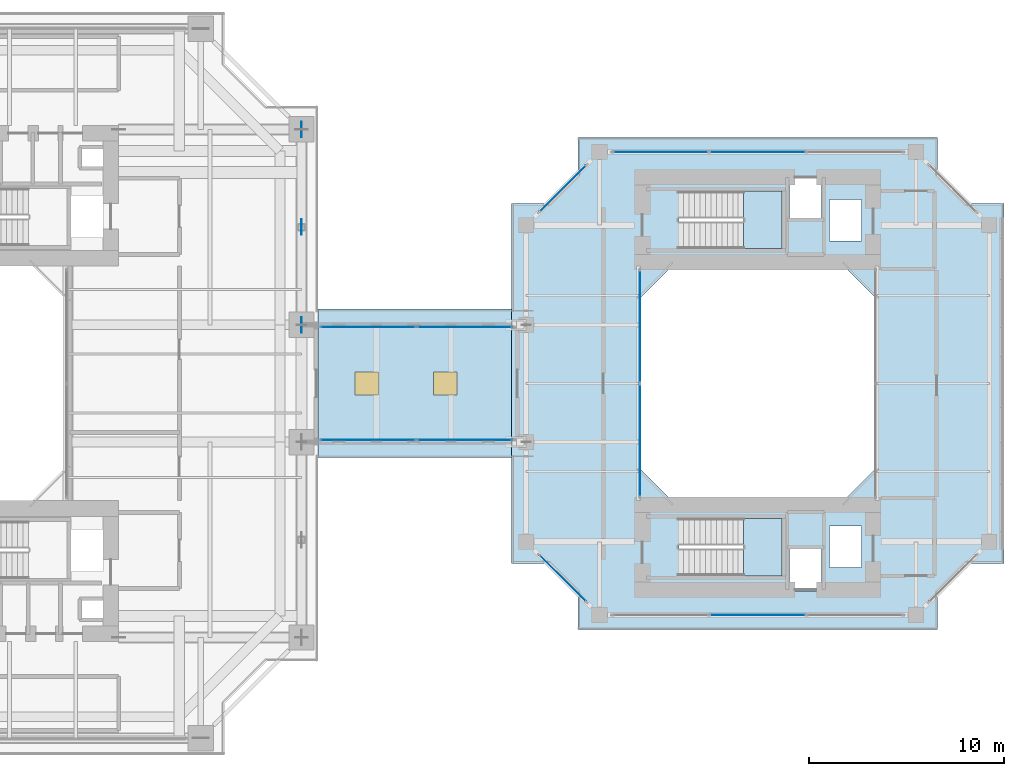
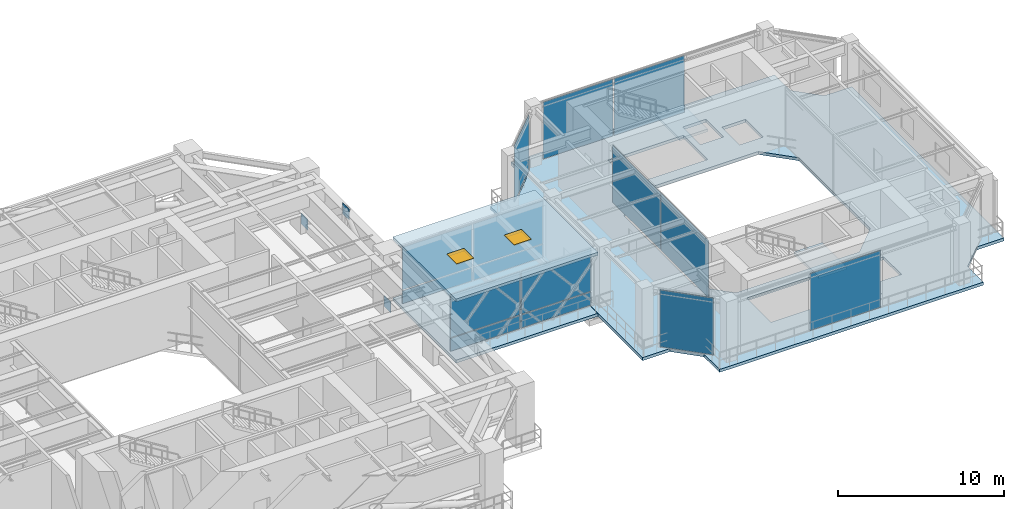
# One storey, part 12 of 25: 18 plates, 5 slabs, 2 windows, 2 openings, 9 elements without a shape of their own.
"""IFC4 building model written with IfcOpenShell, lengths in metres."""

from ifc_helpers import new_model, si_unit, direction, frame, origin, origin_2d, place, context, subcontext, project, spatial, polyline, rectangle, outline, extrude, source, transform, mapped, material, layer, layer_set, type_object, element, fill, aggregate, save


model = new_model("IFC4")

# Units and contexts
model_context = context("Model", 3, precision=1e-05, world=origin(), true_north=direction((0.0, 1.0)))
body_context = subcontext(model_context, "Body", "Model", "MODEL_VIEW")
ifc_project = project(units=[si_unit("LENGTHUNIT", "METRE"), si_unit("AREAUNIT", "SQUARE_METRE"), si_unit("VOLUMEUNIT", "CUBIC_METRE"), si_unit("PLANEANGLEUNIT", "RADIAN"), si_unit("MASSUNIT", "GRAM", prefix="KILO"), si_unit("THERMODYNAMICTEMPERATUREUNIT", "KELVIN"), si_unit("POWERUNIT", "WATT")], contexts=[model_context])

# Site, building, storey
site_placement = place(None, origin())
site = spatial("IfcSite", under=ifc_project, at=site_placement, CompositionType="ELEMENT")
building_placement = place(site_placement, origin())
building = spatial("IfcBuilding", under=site, at=building_placement, Name="Qiaomeng Ring Towers", CompositionType="ELEMENT")
storey_placement = place(building_placement, frame((0.0, 0.0, 92.5)))
storey = spatial("IfcBuildingStorey", under=building, at=storey_placement, Name="L26", CompositionType="ELEMENT", Elevation=92.5)

# Slabs
ifc_material_1 = material(Name="Concrete C40", Category="concrete")
ifc_layer_1 = layer(ifc_material_1, 0.219970703125, Name="Concrete C40")
ifc_layer_set_1 = layer_set([ifc_layer_1], Name="Concrete C40")
slab_type_1 = type_object("IfcSlabType", Name="STR-SL-220", PredefinedType="FLOOR", material=ifc_layer_set_1)
slab_1_placement = place(storey_placement, frame((0.0, 0.0, -0.219970703125)))
element("IfcSlab", 1, at=slab_1_placement, inside=storey, type_object=slab_type_1, Name="L26 Companion Tower 2 Annular Floor Slab", PredefinedType="FLOOR", context=body_context, shape_type="SweptSolid", body=[
    extrude(outline(polyline([(51.300048828125, 10.39990234375), (69.699951171875, 10.39990234375), (69.699951171875, 12.300048828125), (71.199951171875, 13.800048828125), (73.10009765625, 13.800048828125), (73.10009765625, 32.199951171875), (71.199951171875, 32.199951171875), (69.699951171875, 33.699951171875), (69.699951171875, 35.60009765625), (51.300048828125, 35.60009765625), (51.300048828125, 33.699951171875), (49.800048828125, 32.199951171875), (47.89990234375, 32.199951171875), (47.89990234375, 13.800048828125), (49.800048828125, 13.800048828125), (51.300048828125, 12.300048828125), (51.300048828125, 10.39990234375)]), holes=[polyline([(62.1298828125, 12.3798828125), (62.1298828125, 14.52001953125), (63.77001953125, 14.52001953125), (63.77001953125, 12.3798828125), (62.1298828125, 12.3798828125)]), polyline([(56.47998046875, 13.159912109375), (56.47998046875, 16.10009765625), (61.75, 16.10009765625), (61.75, 13.159912109375), (56.47998046875, 13.159912109375)]), polyline([(64.179931640625, 13.580078125), (64.179931640625, 15.719970703125), (65.820068359375, 15.719970703125), (65.820068359375, 13.580078125), (64.179931640625, 13.580078125)]), polyline([(64.800048828125, 29.10009765625), (66.60009765625, 27.300048828125), (66.60009765625, 18.699951171875), (64.800048828125, 16.89990234375), (56.199951171875, 16.89990234375), (54.39990234375, 18.699951171875), (54.39990234375, 27.300048828125), (56.199951171875, 29.10009765625), (64.800048828125, 29.10009765625)]), polyline([(64.179931640625, 30.280029296875), (64.179931640625, 32.419921875), (65.820068359375, 32.419921875), (65.820068359375, 30.280029296875), (64.179931640625, 30.280029296875)]), polyline([(56.47998046875, 32.840087890625), (61.75, 32.840087890625), (61.75, 29.89990234375), (56.47998046875, 29.89990234375), (56.47998046875, 32.840087890625)]), polyline([(62.1298828125, 33.6201171875), (63.77001953125, 33.6201171875), (63.77001953125, 31.47998046875), (62.1298828125, 31.47998046875), (62.1298828125, 33.6201171875)])]), origin(), (0.0, 0.0, 1.0), 0.219970703125),
])
slab_2_placement = place(storey_placement, frame((0.0, 0.0, -0.219970703125)))
element("IfcSlab", 2, at=slab_2_placement, inside=storey, type_object=slab_type_1, Name="L26 Escape Skybridge Bridge SB2 Floor Slab", PredefinedType="FLOOR", context=body_context, shape_type="SweptSolid", body=[
    extrude(outline(polyline([(38.0, 19.199951171875), (47.889892578125, 19.199951171875), (47.889892578125, 26.800048828125), (38.0, 26.800048828125), (38.0, 19.199951171875)])), origin(), (0.0, 0.0, 1.0), 0.219970703125),
])

# Slab, openings, windows
slab_3_placement = place(storey_placement, frame((0.0, 0.0, 4.280029296875)))
slab_3 = element("IfcSlab", 3, at=slab_3_placement, inside=storey, type_object=slab_type_1, Name="L26 Escape Skybridge Bridge SB2 Canopy Slab", PredefinedType="FLOOR", context=body_context, shape_type="SweptSolid", body=[
    extrude(outline(polyline([(38.0, 19.199951171875), (47.889892578125, 19.199951171875), (47.889892578125, 26.800048828125), (38.0, 26.800048828125), (38.0, 19.199951171875)])), origin(), (0.0, 0.0, 1.0), 0.219970703125),
])
opening_1_placement = place(slab_3_placement, frame((40.5, 23.0, 0.0)))
opening_1 = element("IfcOpeningElement", 4, at=opening_1_placement, cuts=slab_3, Name="Opening SKY2", PredefinedType="OPENING", context=body_context, shape_type="SweptSolid", body=[
    extrude(rectangle(XDim=1.199951171875, YDim=1.199951171875, at=origin_2d()), frame((0.0, 0.0, -0.010009765625)), (0.0, 0.0, 1.0), 0.239990234375),
])
opening_2_placement = place(slab_3_placement, frame((44.5, 23.0, 0.0)))
opening_2 = element("IfcOpeningElement", 5, at=opening_2_placement, cuts=slab_3, Name="Opening SKY2", PredefinedType="OPENING", context=body_context, shape_type="SweptSolid", body=[
    extrude(rectangle(XDim=1.199951171875, YDim=1.199951171875, at=origin_2d()), frame((0.0, 0.0, -0.010009765625)), (0.0, 0.0, 1.0), 0.239990234375),
])
ifc_material_2 = material(Name="Low-E dark-grey laminated double glazing", Category="glass")
window_type = type_object("IfcWindowType", Name="ARC-SKY-2", PartitioningType="SINGLE_PANEL", PredefinedType="SKYLIGHT", material=ifc_material_2)
window_1_placement = place(opening_1_placement, frame((0.0, 0.0, 0.169921875)))
window_1 = element("IfcWindow", 6, at=window_1_placement, inside=storey, type_object=window_type, Name="Skybridge SB2 Daylight Skylight 1", OverallHeight=1.199951171875, OverallWidth=1.199951171875, PartitioningType="SINGLE_PANEL", PredefinedType="SKYLIGHT", context=body_context, shape_type="SweptSolid", body=[
    extrude(rectangle(XDim=1.199951171875, YDim=1.199951171875, at=origin_2d()), origin(), (0.0, 0.0, 1.0), 0.050048828125),
])
fill(opening_1, window_1)
window_2_placement = place(opening_2_placement, frame((0.0, 0.0, 0.169921875)))
window_2 = element("IfcWindow", 7, at=window_2_placement, inside=storey, type_object=window_type, Name="Skybridge SB2 Daylight Skylight 2", OverallHeight=1.199951171875, OverallWidth=1.199951171875, PartitioningType="SINGLE_PANEL", PredefinedType="SKYLIGHT", context=body_context, shape_type="SweptSolid", body=[
    extrude(rectangle(XDim=1.199951171875, YDim=1.199951171875, at=origin_2d()), origin(), (0.0, 0.0, 1.0), 0.050048828125),
])
fill(opening_2, window_2)

# Stair, slab
ifc_material_3 = material(Name="Precast concrete C40", Category="concrete")
stair_type = type_object("IfcStairType", Name="ARC-ST-450", PredefinedType="HALF_TURN_STAIR", material=ifc_material_3)
stair_1_placement = place(storey_placement, origin())
stair_1 = element("IfcStair", 8, at=stair_1_placement, inside=storey, type_object=stair_type, Name="L26 Companion North Stair 5", PredefinedType="HALF_TURN_STAIR")
ifc_layer_2 = layer(ifc_material_1, 0.199951171875, Name="Concrete C40")
ifc_layer_set_2 = layer_set([ifc_layer_2], Name="Concrete C40")
slab_type_2 = type_object("IfcSlabType", Name="STR-SL-LANDING", PredefinedType="LANDING", material=ifc_layer_set_2)
slab_4_placement = place(storey_placement, frame((0.0, 0.0, 2.050048828125)))
slab_4 = element("IfcSlab", 9, at=slab_4_placement, type_object=slab_type_2, Name="ST5 landing 1", PredefinedType="LANDING", context=body_context, shape_type="SweptSolid", body=[
    extrude(outline(polyline([(59.780029296875, 29.89990234375), (61.75, 29.89990234375), (61.75, 32.840087890625), (59.780029296875, 32.840087890625), (59.780029296875, 29.89990234375)])), origin(), (0.0, 0.0, 1.0), 0.199951171875),
])
aggregate(stair_1, [slab_4])

stair_2_placement = place(storey_placement, origin())
stair_2 = element("IfcStair", 10, at=stair_2_placement, inside=storey, type_object=stair_type, Name="L26 Companion South Stair 6", PredefinedType="HALF_TURN_STAIR")
slab_5_placement = place(storey_placement, frame((0.0, 0.0, 2.050048828125)))
slab_5 = element("IfcSlab", 11, at=slab_5_placement, type_object=slab_type_2, Name="ST6 landing 1", PredefinedType="LANDING", context=body_context, shape_type="SweptSolid", body=[
    extrude(outline(polyline([(59.780029296875, 13.159912109375), (61.75, 13.159912109375), (61.75, 16.10009765625), (59.780029296875, 16.10009765625), (59.780029296875, 13.159912109375)])), origin(), (0.0, 0.0, 1.0), 0.199951171875),
])
aggregate(stair_2, [slab_5])

# Plates
ifc_material_4 = material(Name="Steel Q390GJC", Category="steel")
ifc_layer_3 = layer(ifc_material_4, 0.031982421875, Name="Steel Q390GJC")
ifc_layer_set_3 = layer_set([ifc_layer_3], Name="Steel Q390GJC")
plate_type_1 = type_object("IfcPlateType", Name="STR-PL-GUSSET", PredefinedType="USERDEFINED", material=ifc_layer_set_3)
shared_shape_1 = source(origin(), body_context, "Body", "SweptSolid", [
    extrude(rectangle(XDim=0.800048828125, YDim=0.031982421875, at=origin_2d()), origin(), (0.0, 0.0, 1.0), 0.800048828125),
])
for number, where, z_axis, x_axis, name in (
    (12, (37.14990234375, 31.0, 3.72021484375), (0.0, 0.0, 1.0), (0.0, 1.0, 0.0), "L26 Belt Truss Node Gusset Plate 4-APX"),
    (13, (37.14990234375, 26.0, -0.080078125), (0.0, 0.0, 1.0), (0.0, 1.0, 0.0), "L26 Belt Truss Node Gusset Plate 4-N1"),
    (14, (37.14990234375, 36.0, -0.080078125), (0.0, 0.0, 1.0), (0.0, 1.0, 0.0), "L26 Belt Truss Node Gusset Plate 4-N2"),
):
    element("IfcPlate", number, at=place(storey_placement, frame(where, z_axis=z_axis, x_axis=x_axis)), inside=storey, type_object=plate_type_1, Name=name, ObjectType="GUSSET PLATE", PredefinedType="USERDEFINED", context=body_context, shape_type="MappedRepresentation", body=[
        mapped(shared_shape_1, transform((0.0, 0.0, 0.0), x_axis=(1.0, 0.0, 0.0), y_axis=(0.0, 1.0, 0.0), z_axis=(0.0, 0.0, 1.0), scale=1.0)),
    ])

# Curtain wall, plates
ifc_material_5 = material(Name="Fluorocarbon dark-grey aluminium", Category="aluminium")
ifc_layer_4 = layer(ifc_material_5, 0.139892578125, Name="Fluorocarbon dark-grey aluminium")
ifc_layer_set_4 = layer_set([ifc_layer_4], Name="Fluorocarbon dark-grey aluminium")
curtain_wall_type_1 = type_object("IfcCurtainWallType", Name="ARC-CW-4", PredefinedType="NOTDEFINED", material=ifc_layer_set_4)
curtain_wall_1_placement = place(storey_placement, origin())
curtain_wall_1 = element("IfcCurtainWall", 15, at=curtain_wall_1_placement, inside=storey, type_object=curtain_wall_type_1, Name="L26 Curtain Wall CW4", PredefinedType="NOTDEFINED")
ifc_layer_5 = layer(ifc_material_2, 0.028076171875, Name="Low-E dark-grey laminated double glazing")
ifc_layer_set_5 = layer_set([ifc_layer_5], Name="Low-E dark-grey laminated double glazing")
plate_type_2 = type_object("IfcPlateType", Name="ARC-CWP-DARK", PredefinedType="CURTAIN_PANEL", material=ifc_layer_set_5)
shared_shape_2 = source(origin(), body_context, "Body", "SweptSolid", [
    extrude(rectangle(XDim=5.75244140625, YDim=0.028076171875, at=origin_2d()), origin(), (0.0, 0.0, 1.0), 4.18994140625),
])
plate_1_placement = place(storey_placement, frame((54.47998046875, 20.09130859375, 0.06494140625), z_axis=(0.0, 0.0, 1.0), x_axis=(0.0, 1.0, 0.0)))
plate_1 = element("IfcPlate", 16, at=plate_1_placement, type_object=plate_type_2, Name="CW4 panel 1.1", PredefinedType="CURTAIN_PANEL", context=body_context, shape_type="MappedRepresentation", body=[
    mapped(shared_shape_2, transform((0.0, 0.0, 0.0), x_axis=(1.0, 0.0, 0.0), y_axis=(0.0, 1.0, 0.0), z_axis=(0.0, 0.0, 1.0), scale=1.0)),
])
plate_2_placement = place(storey_placement, frame((54.47998046875, 25.90869140625, 0.06494140625), z_axis=(0.0, 0.0, 1.0), x_axis=(0.0, 1.0, 0.0)))
plate_2 = element("IfcPlate", 17, at=plate_2_placement, type_object=plate_type_2, Name="CW4 panel 2.1", PredefinedType="CURTAIN_PANEL", context=body_context, shape_type="MappedRepresentation", body=[
    mapped(shared_shape_2, transform((0.0, 0.0, 0.0), x_axis=(1.0, 0.0, 0.0), y_axis=(0.0, 1.0, 0.0), z_axis=(0.0, 0.0, 1.0), scale=1.0)),
])
aggregate(curtain_wall_1, [plate_1, plate_2])

ifc_layer_6 = layer(ifc_material_5, 0.169921875, Name="Fluorocarbon dark-grey aluminium")
ifc_layer_set_6 = layer_set([ifc_layer_6], Name="Fluorocarbon dark-grey aluminium")
curtain_wall_type_2 = type_object("IfcCurtainWallType", Name="ARC-CW-6", PredefinedType="NOTDEFINED", material=ifc_layer_set_6)
curtain_wall_2_placement = place(storey_placement, origin())
curtain_wall_2 = element("IfcCurtainWall", 18, at=curtain_wall_2_placement, inside=storey, type_object=curtain_wall_type_2, Name="L26 Curtain Wall CW6", PredefinedType="NOTDEFINED")
ifc_material_6 = material(Name="Low-E pale-green laminated safety glass", Category="glass")
ifc_layer_7 = layer(ifc_material_6, 0.031982421875, Name="Low-E pale-green laminated safety glass")
ifc_layer_set_7 = layer_set([ifc_layer_7], Name="Low-E pale-green laminated safety glass")
plate_type_3 = type_object("IfcPlateType", Name="ARC-CWP-GREEN", PredefinedType="CURTAIN_PANEL", material=ifc_layer_set_7)
shared_shape_3 = source(origin(), body_context, "Body", "SweptSolid", [
    extrude(rectangle(XDim=4.860107421875, YDim=0.031982421875, at=origin_2d()), origin(), (0.0, 0.0, 1.0), 0.945068359375),
])
plate_3_placement = place(storey_placement, frame((40.56005859375, 20.10009765625, 0.06982421875), z_axis=(0.0, 0.0, 1.0), x_axis=(1.0, 0.0, 0.0)))
plate_3 = element("IfcPlate", 19, at=plate_3_placement, type_object=plate_type_3, Name="CW6 panel 1.1", PredefinedType="CURTAIN_PANEL", context=body_context, shape_type="MappedRepresentation", body=[
    mapped(shared_shape_3, transform((0.0, 0.0, 0.0), x_axis=(1.0, 0.0, 0.0), y_axis=(0.0, 1.0, 0.0), z_axis=(0.0, 0.0, 1.0), scale=1.0)),
])
plate_4_placement = place(storey_placement, frame((45.5, 20.10009765625, 0.06982421875), z_axis=(0.0, 0.0, 1.0), x_axis=(1.0, 0.0, 0.0)))
plate_4 = element("IfcPlate", 20, at=plate_4_placement, type_object=plate_type_3, Name="CW6 panel 2.1", PredefinedType="CURTAIN_PANEL", context=body_context, shape_type="MappedRepresentation", body=[
    mapped(shared_shape_3, transform((0.0, 0.0, 0.0), x_axis=(1.0, 0.0, 0.0), y_axis=(0.0, 1.0, 0.0), z_axis=(0.0, 0.0, 1.0), scale=1.0)),
])

curtain_wall_3_placement = place(storey_placement, origin())
curtain_wall_3 = element("IfcCurtainWall", 21, at=curtain_wall_3_placement, inside=storey, type_object=curtain_wall_type_2, Name="L26 Curtain Wall CW6", PredefinedType="NOTDEFINED")
plate_5_placement = place(storey_placement, frame((40.56005859375, 25.89990234375, 0.06982421875), z_axis=(0.0, 0.0, 1.0), x_axis=(1.0, 0.0, 0.0)))
plate_5 = element("IfcPlate", 22, at=plate_5_placement, type_object=plate_type_3, Name="CW6 panel 1.1", PredefinedType="CURTAIN_PANEL", context=body_context, shape_type="MappedRepresentation", body=[
    mapped(shared_shape_3, transform((0.0, 0.0, 0.0), x_axis=(1.0, 0.0, 0.0), y_axis=(0.0, 1.0, 0.0), z_axis=(0.0, 0.0, 1.0), scale=1.0)),
])
plate_6_placement = place(storey_placement, frame((45.5, 25.89990234375, 0.06982421875), z_axis=(0.0, 0.0, 1.0), x_axis=(1.0, 0.0, 0.0)))
plate_6 = element("IfcPlate", 23, at=plate_6_placement, type_object=plate_type_3, Name="CW6 panel 2.1", PredefinedType="CURTAIN_PANEL", context=body_context, shape_type="MappedRepresentation", body=[
    mapped(shared_shape_3, transform((0.0, 0.0, 0.0), x_axis=(1.0, 0.0, 0.0), y_axis=(0.0, 1.0, 0.0), z_axis=(0.0, 0.0, 1.0), scale=1.0)),
])

# Plate
shared_shape_4 = source(origin(), body_context, "Body", "SweptSolid", [
    extrude(rectangle(XDim=4.860107421875, YDim=0.031982421875, at=origin_2d()), origin(), (0.0, 0.0, 1.0), 3.125),
])
plate_7_placement = place(storey_placement, frame((40.56005859375, 20.10009765625, 1.0849609375), z_axis=(0.0, 0.0, 1.0), x_axis=(1.0, 0.0, 0.0)))
plate_7 = element("IfcPlate", 24, at=plate_7_placement, type_object=plate_type_3, Name="CW6 panel 1.2", PredefinedType="CURTAIN_PANEL", context=body_context, shape_type="MappedRepresentation", body=[
    mapped(shared_shape_4, transform((0.0, 0.0, 0.0), x_axis=(1.0, 0.0, 0.0), y_axis=(0.0, 1.0, 0.0), z_axis=(0.0, 0.0, 1.0), scale=1.0)),
])

plate_8_placement = place(storey_placement, frame((45.5, 20.10009765625, 1.0849609375), z_axis=(0.0, 0.0, 1.0), x_axis=(1.0, 0.0, 0.0)))
plate_8 = element("IfcPlate", 25, at=plate_8_placement, type_object=plate_type_3, Name="CW6 panel 2.2", PredefinedType="CURTAIN_PANEL", context=body_context, shape_type="MappedRepresentation", body=[
    mapped(shared_shape_4, transform((0.0, 0.0, 0.0), x_axis=(1.0, 0.0, 0.0), y_axis=(0.0, 1.0, 0.0), z_axis=(0.0, 0.0, 1.0), scale=1.0)),
])

aggregate(curtain_wall_2, [plate_3, plate_7, plate_4, plate_8])

plate_9_placement = place(storey_placement, frame((40.56005859375, 25.89990234375, 1.0849609375), z_axis=(0.0, 0.0, 1.0), x_axis=(1.0, 0.0, 0.0)))
plate_9 = element("IfcPlate", 26, at=plate_9_placement, type_object=plate_type_3, Name="CW6 panel 1.2", PredefinedType="CURTAIN_PANEL", context=body_context, shape_type="MappedRepresentation", body=[
    mapped(shared_shape_4, transform((0.0, 0.0, 0.0), x_axis=(1.0, 0.0, 0.0), y_axis=(0.0, 1.0, 0.0), z_axis=(0.0, 0.0, 1.0), scale=1.0)),
])

plate_10_placement = place(storey_placement, frame((45.5, 25.89990234375, 1.0849609375), z_axis=(0.0, 0.0, 1.0), x_axis=(1.0, 0.0, 0.0)))
plate_10 = element("IfcPlate", 27, at=plate_10_placement, type_object=plate_type_3, Name="CW6 panel 2.2", PredefinedType="CURTAIN_PANEL", context=body_context, shape_type="MappedRepresentation", body=[
    mapped(shared_shape_4, transform((0.0, 0.0, 0.0), x_axis=(1.0, 0.0, 0.0), y_axis=(0.0, 1.0, 0.0), z_axis=(0.0, 0.0, 1.0), scale=1.0)),
])

aggregate(curtain_wall_3, [plate_5, plate_9, plate_6, plate_10])

# Curtain wall, plates
ifc_layer_8 = layer(ifc_material_5, 0.14990234375, Name="Fluorocarbon dark-grey aluminium")
ifc_layer_set_8 = layer_set([ifc_layer_8], Name="Fluorocarbon dark-grey aluminium")
curtain_wall_type_3 = type_object("IfcCurtainWallType", Name="ARC-CW-5", PredefinedType="NOTDEFINED", material=ifc_layer_set_8)
curtain_wall_4_placement = place(storey_placement, origin())
curtain_wall_4 = element("IfcCurtainWall", 28, at=curtain_wall_4_placement, inside=storey, type_object=curtain_wall_type_3, Name="L26 Curtain Wall CW5", PredefinedType="NOTDEFINED")
shared_shape_5 = source(origin(), body_context, "Body", "SweptSolid", [
    extrude(rectangle(XDim=4.868408203125, YDim=0.028076171875, at=origin_2d()), origin(), (0.0, 0.0, 1.0), 4.18994140625),
])
plate_11_placement = place(storey_placement, frame((55.544189453125, 34.85009765625, 0.06494140625), z_axis=(0.0, 0.0, 1.0), x_axis=(1.0, 0.0, 0.0)))
plate_11 = element("IfcPlate", 29, at=plate_11_placement, type_object=plate_type_2, Name="CW5 panel 1.1", PredefinedType="CURTAIN_PANEL", context=body_context, shape_type="MappedRepresentation", body=[
    mapped(shared_shape_5, transform((0.0, 0.0, 0.0), x_axis=(1.0, 0.0, 0.0), y_axis=(0.0, 1.0, 0.0), z_axis=(0.0, 0.0, 1.0), scale=1.0)),
])
shared_shape_6 = source(origin(), body_context, "Body", "SweptSolid", [
    extrude(rectangle(XDim=4.9033203125, YDim=0.028076171875, at=origin_2d()), origin(), (0.0, 0.0, 1.0), 4.18994140625),
])
plate_12_placement = place(storey_placement, frame((60.5, 34.85009765625, 0.06494140625), z_axis=(0.0, 0.0, 1.0), x_axis=(1.0, 0.0, 0.0)))
plate_12 = element("IfcPlate", 30, at=plate_12_placement, type_object=plate_type_2, Name="CW5 panel 2.1", PredefinedType="CURTAIN_PANEL", context=body_context, shape_type="MappedRepresentation", body=[
    mapped(shared_shape_6, transform((0.0, 0.0, 0.0), x_axis=(1.0, 0.0, 0.0), y_axis=(0.0, 1.0, 0.0), z_axis=(0.0, 0.0, 1.0), scale=1.0)),
])
aggregate(curtain_wall_4, [plate_11, plate_12])

# Curtain wall, plate
curtain_wall_5_placement = place(storey_placement, origin())
curtain_wall_5 = element("IfcCurtainWall", 31, at=curtain_wall_5_placement, inside=storey, type_object=curtain_wall_type_3, Name="L26 Curtain Wall CW5", PredefinedType="NOTDEFINED")
plate_13_placement = place(storey_placement, frame((60.5, 11.14990234375, 0.06494140625), z_axis=(0.0, 0.0, 1.0), x_axis=(1.0, 0.0, 0.0)))
plate_13 = element("IfcPlate", 32, at=plate_13_placement, type_object=plate_type_2, Name="CW5 panel 2.1", PredefinedType="CURTAIN_PANEL", context=body_context, shape_type="MappedRepresentation", body=[
    mapped(shared_shape_6, transform((0.0, 0.0, 0.0), x_axis=(1.0, 0.0, 0.0), y_axis=(0.0, 1.0, 0.0), z_axis=(0.0, 0.0, 1.0), scale=1.0)),
])
aggregate(curtain_wall_5, [plate_13])

curtain_wall_6_placement = place(storey_placement, origin())
curtain_wall_6 = element("IfcCurtainWall", 33, at=curtain_wall_6_placement, inside=storey, type_object=curtain_wall_type_3, Name="L26 Curtain Wall CW5", PredefinedType="NOTDEFINED")
shared_shape_7 = source(origin(), body_context, "Body", "SweptSolid", [
    extrude(rectangle(XDim=3.35302734375, YDim=0.028076171875, at=origin_2d()), origin(), (0.0, 0.0, 1.0), 4.18994140625),
])
plate_14_placement = place(storey_placement, frame((50.52490234375, 32.97509765625, 0.06494140625), z_axis=(0.0, 0.0, 1.0), x_axis=(-0.707106781187, -0.707106781187, 0.0)))
plate_14 = element("IfcPlate", 34, at=plate_14_placement, type_object=plate_type_2, Name="CW5 panel 1.1", PredefinedType="CURTAIN_PANEL", context=body_context, shape_type="MappedRepresentation", body=[
    mapped(shared_shape_7, transform((0.0, 0.0, 0.0), x_axis=(1.0, 0.0, 0.0), y_axis=(0.0, 1.0, 0.0), z_axis=(0.0, 0.0, 1.0), scale=1.0)),
])
aggregate(curtain_wall_6, [plate_14])

curtain_wall_7_placement = place(storey_placement, origin())
curtain_wall_7 = element("IfcCurtainWall", 35, at=curtain_wall_7_placement, inside=storey, type_object=curtain_wall_type_3, Name="L26 Curtain Wall CW5", PredefinedType="NOTDEFINED")
plate_15_placement = place(storey_placement, frame((50.52490234375, 13.02490234375, 0.06494140625), z_axis=(0.0, 0.0, 1.0), x_axis=(0.707106781187, -0.707106781187, 0.0)))
plate_15 = element("IfcPlate", 36, at=plate_15_placement, type_object=plate_type_2, Name="CW5 panel 1.1", PredefinedType="CURTAIN_PANEL", context=body_context, shape_type="MappedRepresentation", body=[
    mapped(shared_shape_7, transform((0.0, 0.0, 0.0), x_axis=(1.0, 0.0, 0.0), y_axis=(0.0, 1.0, 0.0), z_axis=(0.0, 0.0, 1.0), scale=1.0)),
])
aggregate(curtain_wall_7, [plate_15])

save(model, "model.ifc")
